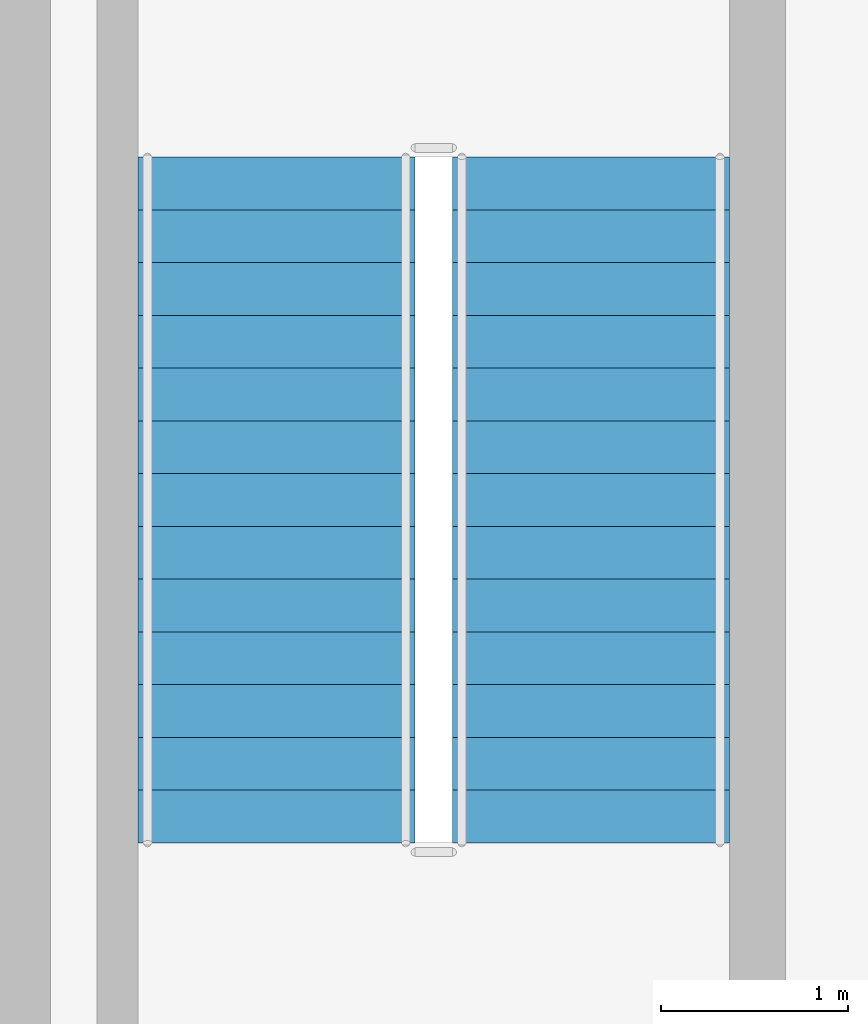
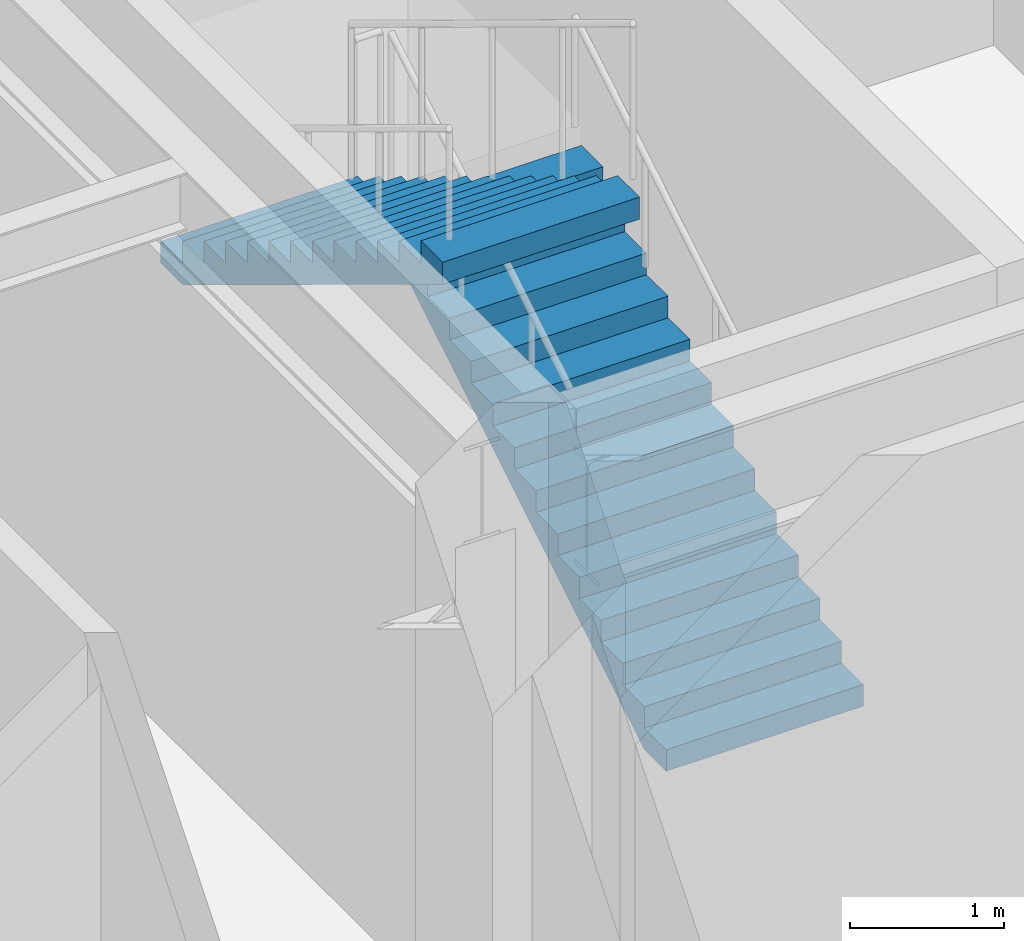
# One storey, part 9 of 12: 2 stair flights, 1 element without a shape of its own.
"""IFC4 building model written with IfcOpenShell, lengths in metres."""

import ifcopenshell
import ifcopenshell.guid

model = None  # the IFC model being written
_history = None  # IfcOwnerHistory: only IFC2X3 demands one
_inside = {}  # id of a spatial element -> (the spatial element, [elements in it])
_under = {}  # id of a project, library or spatial element -> (it, [spatial elements below it])
_declared = {}  # id of a project -> (the project, [libraries it declares])
_typed = {}  # id of a type object -> (the type object, [elements of that type])
_made_of = {}  # id of a material, layer set ... -> (it, [elements and type objects made of it])


def new_model(schema):
    """Start an empty IFC model of exactly this schema.

    Asked for "IFC4X3", IfcOpenShell would pick the latest addendum, in which some entities
    have other attributes; the version numbers below select the first issue.
    IFC2X3 requires an IfcOwnerHistory on every rooted entity: one is made here for all.
    """
    global model, _history
    if schema == "IFC4X3":
        model = ifcopenshell.file(schema_version=(4, 3, 0, 0))
    else:
        model = ifcopenshell.file(schema=schema)
    _inside.clear()
    _under.clear()
    _declared.clear()
    _typed.clear()
    _made_of.clear()
    _history = None
    if model.schema == "IFC2X3":
        org = make("IfcOrganization", Name="unknown")
        user = make(
            "IfcPersonAndOrganization",
            ThePerson=make("IfcPerson", FamilyName="unknown"),
            TheOrganization=org,
        )
        app = make(
            "IfcApplication",
            ApplicationDeveloper=org,
            Version="unknown",
            ApplicationFullName="unknown",
            ApplicationIdentifier="unknown",
        )
        _history = make(
            "IfcOwnerHistory",
            OwningUser=user,
            OwningApplication=app,
            ChangeAction="ADDED",
            CreationDate=0,
        )
    return model


def make(cls, **values):
    """One entity of the class cls with the attributes given. An attribute that is None is left unset."""
    return model.create_entity(
        cls, **{name: value for name, value in values.items() if value is not None}
    )


def rooted(cls, **values):
    """An entity with a GlobalId (a new one), such as an element, a storey or a relation."""
    return make(cls, GlobalId=ifcopenshell.guid.new(), OwnerHistory=_history, **values)


def si_unit(unit_type, name, prefix=None):
    """IfcSIUnit, for example si_unit("LENGTHUNIT", "METRE", prefix="MILLI")."""
    return make("IfcSIUnit", UnitType=unit_type, Prefix=prefix, Name=name)


def assignment(units):
    """IfcUnitAssignment: the units of a project."""
    return None if units is None else make("IfcUnitAssignment", Units=units)


def point(xyz):
    """IfcCartesianPoint."""
    return None if xyz is None else make("IfcCartesianPoint", Coordinates=xyz)


def direction(xyz):
    """IfcDirection."""
    return None if xyz is None else make("IfcDirection", DirectionRatios=xyz)


def frame(location, z_axis=None, x_axis=None):
    """IfcAxis2Placement3D, a coordinate frame: its origin and axes. An axis left out is left unset."""
    return make(
        "IfcAxis2Placement3D",
        Location=point(location),
        Axis=direction(z_axis),
        RefDirection=direction(x_axis),
    )


def origin():
    """The frame at (0, 0, 0) with its axes left unset."""
    return frame((0.0, 0.0, 0.0))


def place(relative_to, where):
    """IfcLocalPlacement: puts the frame where relative to a parent placement (None: the world)."""
    return make(
        "IfcLocalPlacement", PlacementRelTo=relative_to, RelativePlacement=where
    )


def context(
    kind, dimensions, precision=None, world=None, true_north=None, identifier=None
):
    """IfcGeometricRepresentationContext, for example the 3D "Model" context."""
    return make(
        "IfcGeometricRepresentationContext",
        ContextIdentifier=identifier,
        ContextType=kind,
        CoordinateSpaceDimension=dimensions,
        Precision=precision,
        WorldCoordinateSystem=world,
        TrueNorth=true_north,
    )


def subcontext(parent, identifier, kind, view, scale=None):
    """IfcGeometricRepresentationSubContext, for example "Body" below "Model"."""
    return make(
        "IfcGeometricRepresentationSubContext",
        ContextIdentifier=identifier,
        ContextType=kind,
        ParentContext=parent,
        TargetScale=scale,
        TargetView=view,
    )


def project(units=None, contexts=None):
    """IfcProject with its units and contexts."""
    return rooted(
        "IfcProject",
        Name="project",
        RepresentationContexts=contexts,
        UnitsInContext=assignment(units),
    )


def spatial(cls, under=None, at=None, **own):
    """A site, building, storey or space (cls), placed at a placement, below another one or the project."""
    s = rooted(cls, ObjectPlacement=at, **own)
    if under is not None:
        _under.setdefault(under.id(), (under, []))[1].append(s)
    return s


def polyline(points):
    """IfcPolyline through the points."""
    return make("IfcPolyline", Points=[point(p) for p in points])


def outline(outer, holes=None, kind="AREA"):
    """IfcArbitraryClosedProfileDef: a profile drawn as a closed curve; with holes, ...WithVoids."""
    if holes is None:
        return make("IfcArbitraryClosedProfileDef", ProfileType=kind, OuterCurve=outer)
    return make(
        "IfcArbitraryProfileDefWithVoids",
        ProfileType=kind,
        OuterCurve=outer,
        InnerCurves=holes,
    )


def extrude(swept, where, along, depth):
    """IfcExtrudedAreaSolid: the profile swept, set in the frame where, extruded along a direction by depth."""
    return make(
        "IfcExtrudedAreaSolid",
        SweptArea=swept,
        Position=where,
        ExtrudedDirection=direction(along),
        Depth=depth,
    )


def shape(context_of_items, identifier, shape_type, items):
    """IfcShapeRepresentation: the items that make up one representation, for example the "Body"."""
    return make(
        "IfcShapeRepresentation",
        ContextOfItems=context_of_items,
        RepresentationIdentifier=identifier,
        RepresentationType=shape_type,
        Items=items,
    )


def material(Name=None, Category=None):
    """IfcMaterial."""
    return make("IfcMaterial", Name=Name, Category=Category)


def made_of(thing, what):
    """Note that an element or type object is made of a material, layer set ...; save() writes the relation."""
    if what is not None:
        _made_of.setdefault(what.id(), (what, []))[1].append(thing)
    return thing


def type_object(cls, material=None, **own):
    """A type object (cls), such as IfcWallType, which elements share."""
    return made_of(rooted(cls, **own), material)


def element(
    cls,
    number,
    at=None,
    inside=None,
    cuts=None,
    type_object=None,
    material=None,
    context=None,
    identifier="Body",
    shape_type=None,
    held_by="IfcProductDefinitionShape",
    body=None,
    shapes=None,
    **own,
):
    """One element of the class cls, such as IfcWall. Its Tag is "e" and its number.

    at: its placement. inside: the storey or other place that contains it. cuts: it is an
    opening in that element (IfcRelVoidsElement). A single representation is given by context,
    identifier, shape_type and body (its items); several are given by shapes. held_by: the class
    of the entity that holds the representations. save() writes the other relations.
    """
    e = rooted(cls, Tag="e%d" % number, ObjectPlacement=at, **own)
    if body is not None:
        shapes = [shape(context, identifier, shape_type, body)]
    if shapes is not None:
        e.Representation = make(held_by, Representations=shapes)
    if inside is not None:
        _inside.setdefault(inside.id(), (inside, []))[1].append(e)
    if cuts is not None:
        rooted(
            "IfcRelVoidsElement", RelatingBuildingElement=cuts, RelatedOpeningElement=e
        )
    if type_object is not None:
        _typed.setdefault(type_object.id(), (type_object, []))[1].append(e)
    return made_of(e, material)


def aggregate(whole, parts):
    """IfcRelAggregates: a whole, such as a stair, and the parts it consists of."""
    return rooted("IfcRelAggregates", RelatingObject=whole, RelatedObjects=parts)


def save(model, path):
    """Write the relations noted so far, then the file.

    IfcRelAggregates (storeys below a building ...), IfcRelContainedInSpatialStructure (elements
    in a storey), IfcRelDefinesByType, IfcRelAssociatesMaterial and IfcRelDeclares: one each for
    every whole, place, type object, material and project.
    """
    for whole, parts in _under.values():
        aggregate(whole, parts)
    for where, things in _inside.values():
        rooted(
            "IfcRelContainedInSpatialStructure",
            RelatedElements=things,
            RelatingStructure=where,
        )
    for kind, things in _typed.values():
        rooted("IfcRelDefinesByType", RelatedObjects=things, RelatingType=kind)
    for what, things in _made_of.values():
        rooted("IfcRelAssociatesMaterial", RelatedObjects=things, RelatingMaterial=what)
    for by, libraries in _declared.values():
        rooted("IfcRelDeclares", RelatingContext=by, RelatedDefinitions=libraries)
    model.write(path)


model = new_model("IFC4")

# Units and contexts
model_context = context("Model", 3, precision=1e-05, world=origin(), true_north=direction((0.0, 1.0)))
body_context = subcontext(model_context, "Body", "Model", "MODEL_VIEW")
ifc_project = project(units=[si_unit("LENGTHUNIT", "METRE"), si_unit("AREAUNIT", "SQUARE_METRE"), si_unit("VOLUMEUNIT", "CUBIC_METRE"), si_unit("PLANEANGLEUNIT", "RADIAN"), si_unit("MASSUNIT", "GRAM", prefix="KILO")], contexts=[model_context])

# Site, building, storey
site_placement = place(None, origin())
site = spatial("IfcSite", under=ifc_project, at=site_placement, CompositionType="ELEMENT")
building_placement = place(site_placement, origin())
building = spatial("IfcBuilding", under=site, at=building_placement, Name="Ochreholt Gables", CompositionType="ELEMENT")
storey_placement = place(building_placement, frame((0.0, 0.0, 9.60009765625)))
storey = spatial("IfcBuildingStorey", under=building, at=storey_placement, Name="L02", CompositionType="ELEMENT", Elevation=9.60009765625)

# Stair, stair flights
ifc_material = material(Name="Concrete 40 MPa", Category="concrete")
stair_type = type_object("IfcStairType", Name="STAIR-CORE-ST-2", PredefinedType="HALF_TURN_STAIR", material=ifc_material)
stair_placement = place(storey_placement, origin())
stair = element("IfcStair", 1, at=stair_placement, inside=storey, type_object=stair_type, Name="L02 Core Exit Stair 2", PredefinedType="HALF_TURN_STAIR")
stair_flight_type = type_object("IfcStairFlightType", Name="FLIGHT-ST-1480-1714", PredefinedType="STRAIGHT", material=ifc_material)
stair_flight_1_placement = place(storey_placement, frame((27.340087890625, 32.4599609375, 0.0), z_axis=(0.0, 0.0, 1.0), x_axis=(0.0, 1.0, 0.0)))
stair_flight_1 = element("IfcStairFlight", 2, at=stair_flight_1_placement, type_object=stair_flight_type, Name="ST-2 flight 1", NumberOfRisers=14, NumberOfTreads=13, PredefinedType="STRAIGHT", RiserHeight=0.171428571, TreadLength=0.282, context=body_context, shape_type="SweptSolid", body=[
    extrude(outline(polyline([(0.0, 0.0), (0.0, 0.17138671875), (0.281982421875, 0.17138671875), (0.281982421875, 0.3427734375), (0.56396484375, 0.3427734375), (0.56396484375, 0.514404296875), (0.845947265625, 0.514404296875), (0.845947265625, 0.685791015625), (1.1279296875, 0.685791015625), (1.1279296875, 0.857177734375), (1.409912109375, 0.857177734375), (1.409912109375, 1.028564453125), (1.69189453125, 1.028564453125), (1.69189453125, 1.199951171875), (1.97412109375, 1.199951171875), (1.97412109375, 1.371337890625), (2.256103515625, 1.371337890625), (2.256103515625, 1.54296875), (2.5380859375, 1.54296875), (2.5380859375, 1.71435546875), (2.820068359375, 1.71435546875), (2.820068359375, 1.8857421875), (3.10205078125, 1.8857421875), (3.10205078125, 2.05712890625), (3.384033203125, 2.05712890625), (3.384033203125, 2.228515625), (3.666015625, 2.228515625), (3.666015625, 2.39990234375), (3.666015625, 2.05322265625), (0.28857421875, 0.0), (0.0, 0.0)])), frame((0.0, 0.739990234375, 0.0), z_axis=(0.0, -1.0, 0.0), x_axis=(1.0, 0.0, 0.0)), (0.0, 0.0, 1.0), 1.47998046875),
])
stair_flight_2_placement = place(storey_placement, frame((25.659912109375, 36.1259765625, 2.39990234375), z_axis=(0.0, 0.0, 1.0), x_axis=(0.0, -1.0, 0.0)))
stair_flight_2 = element("IfcStairFlight", 3, at=stair_flight_2_placement, type_object=stair_flight_type, Name="ST-2 flight 2", NumberOfRisers=14, NumberOfTreads=13, PredefinedType="STRAIGHT", RiserHeight=0.171428571, TreadLength=0.282, context=body_context, shape_type="SweptSolid", body=[
    extrude(outline(polyline([(0.0, 0.0), (0.0, 0.17138671875), (0.281982421875, 0.17138671875), (0.281982421875, 0.3427734375), (0.56396484375, 0.3427734375), (0.56396484375, 0.514404296875), (0.845947265625, 0.514404296875), (0.845947265625, 0.685791015625), (1.1279296875, 0.685791015625), (1.1279296875, 0.857177734375), (1.409912109375, 0.857177734375), (1.409912109375, 1.028564453125), (1.69189453125, 1.028564453125), (1.69189453125, 1.199951171875), (1.97412109375, 1.199951171875), (1.97412109375, 1.371337890625), (2.256103515625, 1.371337890625), (2.256103515625, 1.54296875), (2.5380859375, 1.54296875), (2.5380859375, 1.71435546875), (2.820068359375, 1.71435546875), (2.820068359375, 1.8857421875), (3.10205078125, 1.8857421875), (3.10205078125, 2.05712890625), (3.384033203125, 2.05712890625), (3.384033203125, 2.228515625), (3.666015625, 2.228515625), (3.666015625, 2.39990234375), (3.666015625, 2.05322265625), (0.28857421875, 0.0), (0.0, 0.0)])), frame((0.0, 0.739990234375, 0.0), z_axis=(0.0, -1.0, 0.0), x_axis=(1.0, 0.0, 0.0)), (0.0, 0.0, 1.0), 1.47998046875),
])
aggregate(stair, [stair_flight_1, stair_flight_2])

save(model, "model.ifc")
